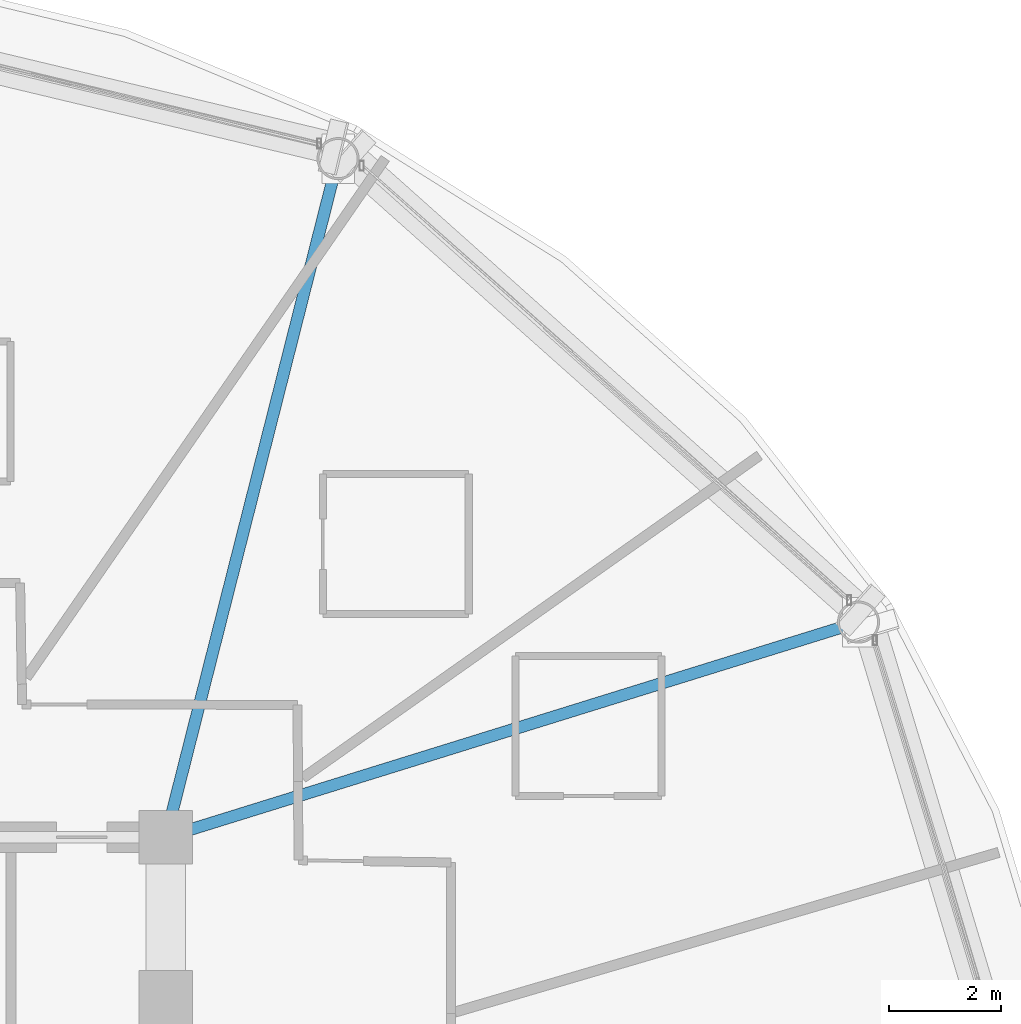
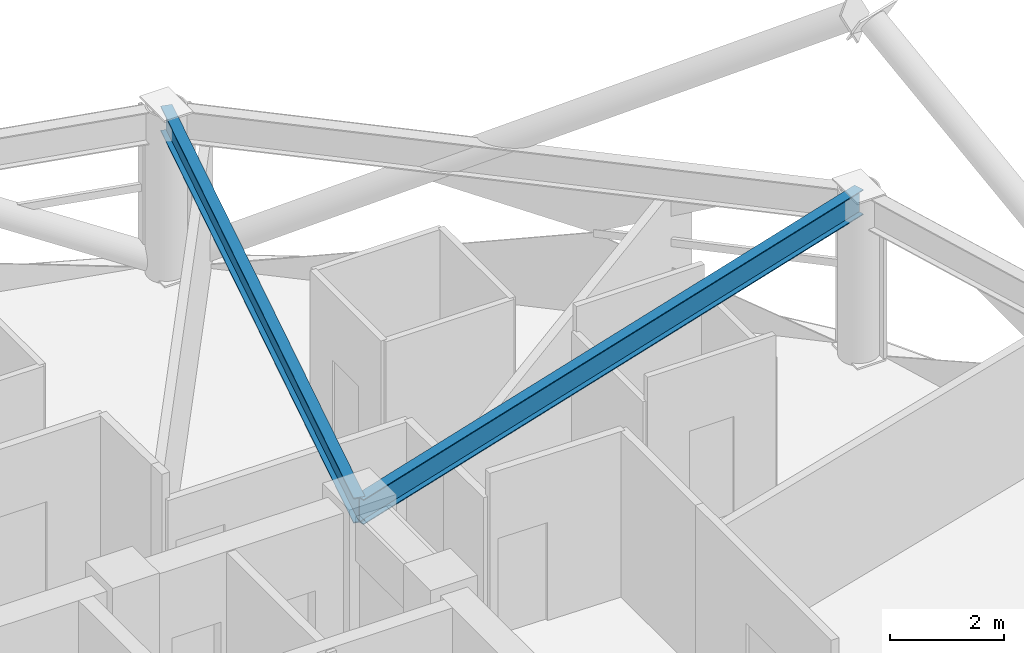
# One storey, part 18 of 30: 2 beams.
"""IFC4 building model written with IfcOpenShell, lengths in metres."""

from ifc_helpers import new_model, si_unit, direction, frame, origin, origin_2d, place, context, subcontext, project, spatial, i_section, extrude, material, material_profile, profile_set, type_object, element, save


model = new_model("IFC4")

# Units and contexts
model_context = context("Model", 3, precision=1e-05, world=origin(), true_north=direction((0.0, 1.0)))
body_context = subcontext(model_context, "Body", "Model", "MODEL_VIEW")
ifc_project = project(units=[si_unit("LENGTHUNIT", "METRE"), si_unit("AREAUNIT", "SQUARE_METRE"), si_unit("VOLUMEUNIT", "CUBIC_METRE"), si_unit("PLANEANGLEUNIT", "RADIAN"), si_unit("MASSUNIT", "GRAM", prefix="KILO")], contexts=[model_context])

# Site, building, storey
site_placement = place(None, origin())
site = spatial("IfcSite", under=ifc_project, at=site_placement, CompositionType="ELEMENT")
building_placement = place(site_placement, origin())
building = spatial("IfcBuilding", under=site, at=building_placement, Name="Vantalir Tower", CompositionType="ELEMENT")
storey_placement = place(building_placement, frame((0.0, 0.0, 119.699951171875)))
storey = spatial("IfcBuildingStorey", under=building, at=storey_placement, Name="L29", CompositionType="ELEMENT", Elevation=119.699951171875)

# Beams
ifc_material = material(Name="Steel S355", Category="steel")
ifc_material_profile = material_profile(ifc_material, i_section(OverallWidth=0.2109375, OverallDepth=0.5390625, WebThickness=0.01171875, FlangeThickness=0.018798828125, at=origin_2d()), Name="Steel S355")
ifc_profile_set = profile_set([ifc_material_profile], Name="Steel S355")
beam_type = type_object("IfcBeamType", Name="BM-RB-533x210", PredefinedType="BEAM", material=ifc_profile_set)
beam_1_placement = place(storey_placement, frame((53.445068359375, 36.282958984375, 3.300048828125), z_axis=(-0.955024490014, -0.296526935493, 0.0), x_axis=(0.296526935493, -0.955024490014, 0.0)))
element("IfcBeam", 1, at=beam_1_placement, inside=storey, type_object=beam_type, Name="L29 Radial Floor Beam 02", PredefinedType="BEAM", context=body_context, shape_type="SweptSolid", body=[
    extrude(i_section(OverallWidth=0.2109375, OverallDepth=0.5390625, WebThickness=0.01171875, FlangeThickness=0.018798828125, at=origin_2d()), origin(), (0.0, 0.0, 1.0), 12.92626953125),
])
beam_2_placement = place(storey_placement, frame((44.169921875, 44.54296875, 3.300048828125), z_axis=(-0.246047052435, -0.969257885182, 0.0), x_axis=(0.969257885182, -0.246047052435, 0.0)))
element("IfcBeam", 2, at=beam_2_placement, inside=storey, type_object=beam_type, Name="L29 Radial Floor Beam 03", PredefinedType="BEAM", context=body_context, shape_type="SweptSolid", body=[
    extrude(i_section(OverallWidth=0.2109375, OverallDepth=0.5390625, WebThickness=0.01171875, FlangeThickness=0.018798828125, at=origin_2d()), origin(), (0.0, 0.0, 1.0), 12.4765625),
])

save(model, "model.ifc")
